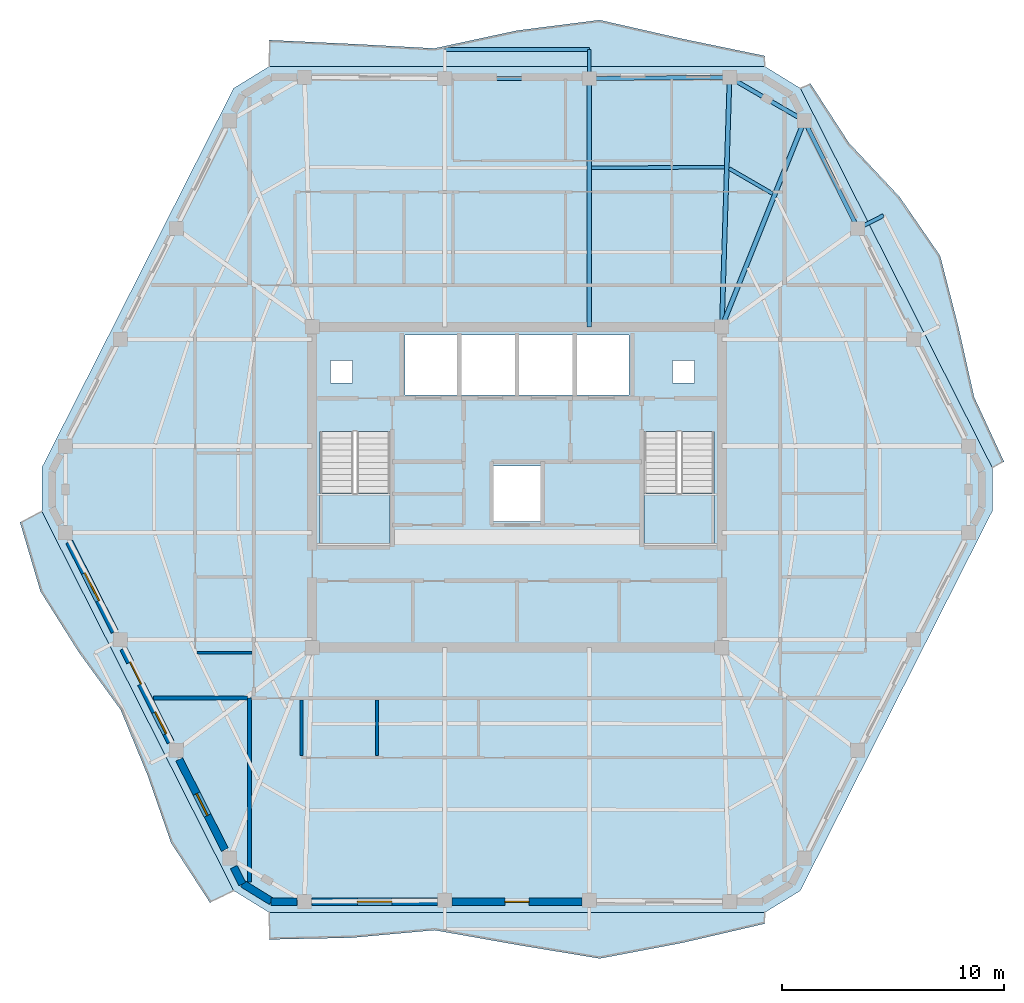
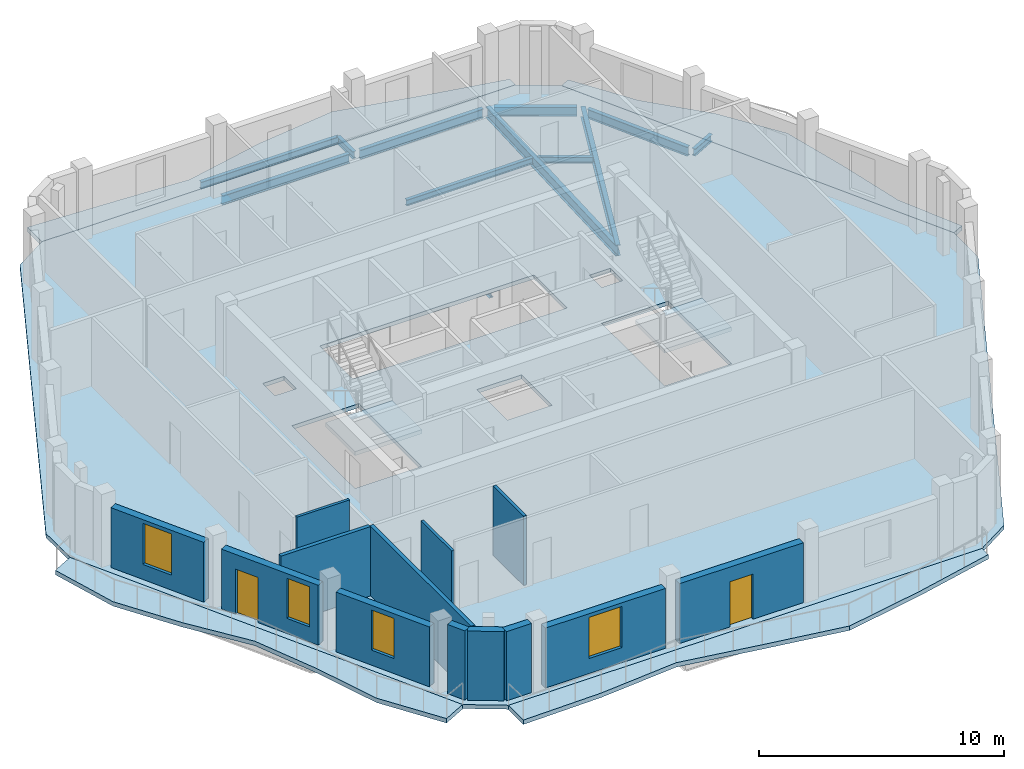
# One storey, part 3 of 10: 13 walls, 12 beams, 7 slabs, 4 windows, 2 doors, 6 openings, 2 elements without a shape of their own.
"""IFC4 building model written with IfcOpenShell, lengths in metres."""

import ifcopenshell
import ifcopenshell.guid

model = None  # the IFC model being written
_history = None  # IfcOwnerHistory: only IFC2X3 demands one
_inside = {}  # id of a spatial element -> (the spatial element, [elements in it])
_under = {}  # id of a project, library or spatial element -> (it, [spatial elements below it])
_declared = {}  # id of a project -> (the project, [libraries it declares])
_typed = {}  # id of a type object -> (the type object, [elements of that type])
_made_of = {}  # id of a material, layer set ... -> (it, [elements and type objects made of it])


def new_model(schema):
    """Start an empty IFC model of exactly this schema.

    Asked for "IFC4X3", IfcOpenShell would pick the latest addendum, in which some entities
    have other attributes; the version numbers below select the first issue.
    IFC2X3 requires an IfcOwnerHistory on every rooted entity: one is made here for all.
    """
    global model, _history
    if schema == "IFC4X3":
        model = ifcopenshell.file(schema_version=(4, 3, 0, 0))
    else:
        model = ifcopenshell.file(schema=schema)
    _inside.clear()
    _under.clear()
    _declared.clear()
    _typed.clear()
    _made_of.clear()
    _history = None
    if model.schema == "IFC2X3":
        org = make("IfcOrganization", Name="unknown")
        user = make(
            "IfcPersonAndOrganization",
            ThePerson=make("IfcPerson", FamilyName="unknown"),
            TheOrganization=org,
        )
        app = make(
            "IfcApplication",
            ApplicationDeveloper=org,
            Version="unknown",
            ApplicationFullName="unknown",
            ApplicationIdentifier="unknown",
        )
        _history = make(
            "IfcOwnerHistory",
            OwningUser=user,
            OwningApplication=app,
            ChangeAction="ADDED",
            CreationDate=0,
        )
    return model


def make(cls, **values):
    """One entity of the class cls with the attributes given. An attribute that is None is left unset."""
    return model.create_entity(
        cls, **{name: value for name, value in values.items() if value is not None}
    )


def rooted(cls, **values):
    """An entity with a GlobalId (a new one), such as an element, a storey or a relation."""
    return make(cls, GlobalId=ifcopenshell.guid.new(), OwnerHistory=_history, **values)


def si_unit(unit_type, name, prefix=None):
    """IfcSIUnit, for example si_unit("LENGTHUNIT", "METRE", prefix="MILLI")."""
    return make("IfcSIUnit", UnitType=unit_type, Prefix=prefix, Name=name)


def assignment(units):
    """IfcUnitAssignment: the units of a project."""
    return None if units is None else make("IfcUnitAssignment", Units=units)


def point(xyz):
    """IfcCartesianPoint."""
    return None if xyz is None else make("IfcCartesianPoint", Coordinates=xyz)


def direction(xyz):
    """IfcDirection."""
    return None if xyz is None else make("IfcDirection", DirectionRatios=xyz)


def frame(location, z_axis=None, x_axis=None):
    """IfcAxis2Placement3D, a coordinate frame: its origin and axes. An axis left out is left unset."""
    return make(
        "IfcAxis2Placement3D",
        Location=point(location),
        Axis=direction(z_axis),
        RefDirection=direction(x_axis),
    )


def frame_2d(location, x_axis=None):
    """IfcAxis2Placement2D, a coordinate frame in the plane: its origin and x axis."""
    return make(
        "IfcAxis2Placement2D", Location=point(location), RefDirection=direction(x_axis)
    )


def origin():
    """The frame at (0, 0, 0) with its axes left unset."""
    return frame((0.0, 0.0, 0.0))


def origin_2d():
    """The frame at (0, 0) in the plane with its x axis left unset."""
    return frame_2d((0.0, 0.0))


def place(relative_to, where):
    """IfcLocalPlacement: puts the frame where relative to a parent placement (None: the world)."""
    return make(
        "IfcLocalPlacement", PlacementRelTo=relative_to, RelativePlacement=where
    )


def context(
    kind, dimensions, precision=None, world=None, true_north=None, identifier=None
):
    """IfcGeometricRepresentationContext, for example the 3D "Model" context."""
    return make(
        "IfcGeometricRepresentationContext",
        ContextIdentifier=identifier,
        ContextType=kind,
        CoordinateSpaceDimension=dimensions,
        Precision=precision,
        WorldCoordinateSystem=world,
        TrueNorth=true_north,
    )


def subcontext(parent, identifier, kind, view, scale=None):
    """IfcGeometricRepresentationSubContext, for example "Body" below "Model"."""
    return make(
        "IfcGeometricRepresentationSubContext",
        ContextIdentifier=identifier,
        ContextType=kind,
        ParentContext=parent,
        TargetScale=scale,
        TargetView=view,
    )


def project(units=None, contexts=None):
    """IfcProject with its units and contexts."""
    return rooted(
        "IfcProject",
        Name="project",
        RepresentationContexts=contexts,
        UnitsInContext=assignment(units),
    )


def spatial(cls, under=None, at=None, **own):
    """A site, building, storey or space (cls), placed at a placement, below another one or the project."""
    s = rooted(cls, ObjectPlacement=at, **own)
    if under is not None:
        _under.setdefault(under.id(), (under, []))[1].append(s)
    return s


def polyline(points):
    """IfcPolyline through the points."""
    return make("IfcPolyline", Points=[point(p) for p in points])


def profile(cls, at=None, kind="AREA", **sizes):
    """A parametric profile (cls). Its sizes go by their IFC names, for example OverallWidth=200.0."""
    return make(cls, ProfileType=kind, Position=at, **sizes)


def rectangle(**sizes):
    """IfcRectangleProfileDef."""
    return profile("IfcRectangleProfileDef", **sizes)


def i_section(**sizes):
    """IfcIShapeProfileDef."""
    return profile("IfcIShapeProfileDef", **sizes)


def outline(outer, holes=None, kind="AREA"):
    """IfcArbitraryClosedProfileDef: a profile drawn as a closed curve; with holes, ...WithVoids."""
    if holes is None:
        return make("IfcArbitraryClosedProfileDef", ProfileType=kind, OuterCurve=outer)
    return make(
        "IfcArbitraryProfileDefWithVoids",
        ProfileType=kind,
        OuterCurve=outer,
        InnerCurves=holes,
    )


def extrude(swept, where, along, depth):
    """IfcExtrudedAreaSolid: the profile swept, set in the frame where, extruded along a direction by depth."""
    return make(
        "IfcExtrudedAreaSolid",
        SweptArea=swept,
        Position=where,
        ExtrudedDirection=direction(along),
        Depth=depth,
    )


def shape(context_of_items, identifier, shape_type, items):
    """IfcShapeRepresentation: the items that make up one representation, for example the "Body"."""
    return make(
        "IfcShapeRepresentation",
        ContextOfItems=context_of_items,
        RepresentationIdentifier=identifier,
        RepresentationType=shape_type,
        Items=items,
    )


def material(Name=None, Category=None):
    """IfcMaterial."""
    return make("IfcMaterial", Name=Name, Category=Category)


def layer(
    of_material, thickness, ventilated=None, Name=None, Category=None, Priority=None
):
    """IfcMaterialLayer: one layer of a wall or slab, of a material (None: an air gap)."""
    return make(
        "IfcMaterialLayer",
        Material=of_material,
        LayerThickness=thickness,
        IsVentilated=ventilated,
        Name=Name,
        Category=Category,
        Priority=Priority,
    )


def layer_set(layers, Name=None):
    """IfcMaterialLayerSet."""
    return make("IfcMaterialLayerSet", MaterialLayers=layers, LayerSetName=Name)


def material_profile(
    of_material, cross_section, Name=None, Category=None, Priority=None
):
    """IfcMaterialProfile: a cross section and its material."""
    return make(
        "IfcMaterialProfile",
        Name=Name,
        Material=of_material,
        Profile=cross_section,
        Priority=Priority,
        Category=Category,
    )


def profile_set(profiles, Name=None, composite=None):
    """IfcMaterialProfileSet."""
    return make(
        "IfcMaterialProfileSet",
        Name=Name,
        MaterialProfiles=profiles,
        CompositeProfile=composite,
    )


def made_of(thing, what):
    """Note that an element or type object is made of a material, layer set ...; save() writes the relation."""
    if what is not None:
        _made_of.setdefault(what.id(), (what, []))[1].append(thing)
    return thing


def type_object(cls, material=None, **own):
    """A type object (cls), such as IfcWallType, which elements share."""
    return made_of(rooted(cls, **own), material)


def element(
    cls,
    number,
    at=None,
    inside=None,
    cuts=None,
    type_object=None,
    material=None,
    context=None,
    identifier="Body",
    shape_type=None,
    held_by="IfcProductDefinitionShape",
    body=None,
    shapes=None,
    **own,
):
    """One element of the class cls, such as IfcWall. Its Tag is "e" and its number.

    at: its placement. inside: the storey or other place that contains it. cuts: it is an
    opening in that element (IfcRelVoidsElement). A single representation is given by context,
    identifier, shape_type and body (its items); several are given by shapes. held_by: the class
    of the entity that holds the representations. save() writes the other relations.
    """
    e = rooted(cls, Tag="e%d" % number, ObjectPlacement=at, **own)
    if body is not None:
        shapes = [shape(context, identifier, shape_type, body)]
    if shapes is not None:
        e.Representation = make(held_by, Representations=shapes)
    if inside is not None:
        _inside.setdefault(inside.id(), (inside, []))[1].append(e)
    if cuts is not None:
        rooted(
            "IfcRelVoidsElement", RelatingBuildingElement=cuts, RelatedOpeningElement=e
        )
    if type_object is not None:
        _typed.setdefault(type_object.id(), (type_object, []))[1].append(e)
    return made_of(e, material)


def fill(opening, filler):
    """IfcRelFillsElement: the door or window that sits in an opening."""
    return rooted(
        "IfcRelFillsElement",
        RelatingOpeningElement=opening,
        RelatedBuildingElement=filler,
    )


def aggregate(whole, parts):
    """IfcRelAggregates: a whole, such as a stair, and the parts it consists of."""
    return rooted("IfcRelAggregates", RelatingObject=whole, RelatedObjects=parts)


def save(model, path):
    """Write the relations noted so far, then the file.

    IfcRelAggregates (storeys below a building ...), IfcRelContainedInSpatialStructure (elements
    in a storey), IfcRelDefinesByType, IfcRelAssociatesMaterial and IfcRelDeclares: one each for
    every whole, place, type object, material and project.
    """
    for whole, parts in _under.values():
        aggregate(whole, parts)
    for where, things in _inside.values():
        rooted(
            "IfcRelContainedInSpatialStructure",
            RelatedElements=things,
            RelatingStructure=where,
        )
    for kind, things in _typed.values():
        rooted("IfcRelDefinesByType", RelatedObjects=things, RelatingType=kind)
    for what, things in _made_of.values():
        rooted("IfcRelAssociatesMaterial", RelatedObjects=things, RelatingMaterial=what)
    for by, libraries in _declared.values():
        rooted("IfcRelDeclares", RelatingContext=by, RelatedDefinitions=libraries)
    model.write(path)


model = new_model("IFC4")

# Units and contexts
model_context = context("Model", 3, precision=1e-05, world=origin(), true_north=direction((0.0, 1.0)))
body_context = subcontext(model_context, "Body", "Model", "MODEL_VIEW")
ifc_project = project(units=[si_unit("LENGTHUNIT", "METRE"), si_unit("AREAUNIT", "SQUARE_METRE"), si_unit("VOLUMEUNIT", "CUBIC_METRE"), si_unit("PLANEANGLEUNIT", "RADIAN"), si_unit("MASSUNIT", "GRAM", prefix="KILO")], contexts=[model_context])

# Site, building, storey
site_placement = place(None, origin())
site = spatial("IfcSite", under=ifc_project, at=site_placement, CompositionType="ELEMENT")
building_placement = place(site_placement, origin())
building = spatial("IfcBuilding", under=site, at=building_placement, Name="Cinnabar Lancet Tower", CompositionType="ELEMENT")
storey_placement = place(building_placement, frame((0.0, 0.0, 267.14990234375)))
storey = spatial("IfcBuildingStorey", under=building, at=storey_placement, Name="L71", CompositionType="ELEMENT", Elevation=267.14990234375)

# Beams
ifc_material_1 = material(Name="Structural steel S355", Category="steel")
ifc_material_profile_1 = material_profile(ifc_material_1, i_section(OverallWidth=0.1650390625, OverallDepth=0.303466796875, WebThickness=0.006103515625, FlangeThickness=0.01025390625, FilletRadius=0.0087890625, at=origin_2d()), Name="UKB 305x165x40")
ifc_profile_set_1 = profile_set([ifc_material_profile_1], Name="Structural steel S355")
beam_type_1 = type_object("IfcBeamType", Name="STR-BM-JST-305", PredefinedType="JOIST", material=ifc_profile_set_1)
beam_1_placement = place(storey_placement, frame((43.912109375, 39.1201171875, -0.351806640625), z_axis=(-0.865426285481, 0.501036270542, 0.0), x_axis=(-0.501036270542, -0.865426285481, 0.0)))
element("IfcBeam", 1, at=beam_1_placement, inside=storey, type_object=beam_type_1, Name="L71 Secondary Floor Joist 29", PredefinedType="JOIST", context=body_context, shape_type="SweptSolid", body=[
    extrude(i_section(OverallWidth=0.1650390625, OverallDepth=0.303466796875, WebThickness=0.006103515625, FlangeThickness=0.01025390625, FilletRadius=0.0087890625, at=origin_2d()), origin(), (0.0, 0.0, 1.0), 2.267333984375),
])
beam_2_placement = place(storey_placement, frame((41.741943359375, 40.31494140625, -0.351806640625), z_axis=(-0.999985712428, -0.005345553266, 0.0), x_axis=(0.005345553266, -0.999985712428, 0.0)))
element("IfcBeam", 2, at=beam_2_placement, inside=storey, type_object=beam_type_1, Name="L71 Secondary Floor Joist 30", PredefinedType="JOIST", context=body_context, shape_type="SweptSolid", body=[
    extrude(i_section(OverallWidth=0.1650390625, OverallDepth=0.303466796875, WebThickness=0.006103515625, FlangeThickness=0.01025390625, FilletRadius=0.0087890625, at=origin_2d()), origin(), (0.0, 0.0, 1.0), 5.98291015625),
])
ifc_material_2 = material(Name="Structural steel S355", Category="steel")
ifc_material_profile_2 = material_profile(ifc_material_2, i_section(OverallWidth=0.1904296875, OverallDepth=0.45703125, WebThickness=0.009033203125, FlangeThickness=0.014404296875, FilletRadius=0.01025390625, at=origin_2d()), Name="UKB 457x191x74")
ifc_profile_set_2 = profile_set([ifc_material_profile_2], Name="Structural steel S355")
beam_type_2 = type_object("IfcBeamType", Name="STR-BM-SPN-457", PredefinedType="SPANDREL", material=ifc_profile_set_2)
beam_3_placement = place(storey_placement, frame((47.637939453125, 37.778076171875, -0.428955078125), z_axis=(-0.444372599207, 0.895842058107, 0.0), x_axis=(-0.895842058107, -0.444372599207, 0.0)))
element("IfcBeam", 3, at=beam_3_placement, inside=storey, type_object=beam_type_2, Name="L71 Perimeter Spandrel 11", PredefinedType="SPANDREL", context=body_context, shape_type="SweptSolid", body=[
    extrude(i_section(OverallWidth=0.1904296875, OverallDepth=0.45703125, WebThickness=0.009033203125, FlangeThickness=0.014404296875, FilletRadius=0.01025390625, at=origin_2d()), origin(), (0.0, 0.0, 1.0), 4.91943359375),
])
beam_4_placement = place(storey_placement, frame((45.125, 42.533935546875, -0.428955078125), z_axis=(-0.865199693264, 0.501427453153, 0.0), x_axis=(-0.501427453153, -0.865199693264, 0.0)))
element("IfcBeam", 4, at=beam_4_placement, inside=storey, type_object=beam_type_2, Name="L71 Perimeter Spandrel 12", PredefinedType="SPANDREL", context=body_context, shape_type="SweptSolid", body=[
    extrude(i_section(OverallWidth=0.1904296875, OverallDepth=0.45703125, WebThickness=0.009033203125, FlangeThickness=0.014404296875, FilletRadius=0.01025390625, at=origin_2d()), origin(), (0.0, 0.0, 1.0), 3.39453125),
])
beam_5_placement = place(storey_placement, frame((41.721923828125, 44.35888671875, -0.428955078125), z_axis=(-0.999964782464, -0.008392486634, 0.0), x_axis=(0.008392486634, -0.999964782464, 0.0)))
element("IfcBeam", 5, at=beam_5_placement, inside=storey, type_object=beam_type_2, Name="L71 Perimeter Spandrel 13", PredefinedType="SPANDREL", context=body_context, shape_type="SweptSolid", body=[
    extrude(i_section(OverallWidth=0.1904296875, OverallDepth=0.45703125, WebThickness=0.009033203125, FlangeThickness=0.014404296875, FilletRadius=0.01025390625, at=origin_2d()), origin(), (0.0, 0.0, 1.0), 5.818115234375),
])
beam_6_placement = place(storey_placement, frame((35.404052734375, 44.30810546875, -0.428955078125), z_axis=(-1.0, 0.0, 0.0), x_axis=(0.0, -1.0, 0.0)))
element("IfcBeam", 6, at=beam_6_placement, inside=storey, type_object=beam_type_2, Name="L71 Perimeter Spandrel 14", PredefinedType="SPANDREL", context=body_context, shape_type="SweptSolid", body=[
    extrude(i_section(OverallWidth=0.1904296875, OverallDepth=0.45703125, WebThickness=0.009033203125, FlangeThickness=0.014404296875, FilletRadius=0.01025390625, at=origin_2d()), origin(), (0.0, 0.0, 1.0), 6.008056640625),
])
ifc_material_3 = material(Name="Structural steel S355", Category="steel")
ifc_material_profile_3 = material_profile(ifc_material_3, i_section(OverallWidth=0.209228515625, OverallDepth=0.533203125, WebThickness=0.010009765625, FlangeThickness=0.015625, FilletRadius=0.0126953125, at=origin_2d()), Name="UKB 533x210x92")
ifc_profile_set_3 = profile_set([ifc_material_profile_3], Name="Structural steel S355")
beam_type_3 = type_object("IfcBeamType", Name="STR-BM-UKB533-92", PredefinedType="BEAM", material=ifc_profile_set_3)
beam_7_placement = place(storey_placement, frame((45.341064453125, 42.408935546875, -0.466796875), z_axis=(-0.371605341166, -0.928390796172, 0.0), x_axis=(0.928390796172, -0.371605341166, 0.0)))
element("IfcBeam", 7, at=beam_7_placement, inside=storey, type_object=beam_type_3, Name="L71 Primary Floor Girder 12", PredefinedType="BEAM", context=body_context, shape_type="SweptSolid", body=[
    extrude(i_section(OverallWidth=0.209228515625, OverallDepth=0.533203125, WebThickness=0.010009765625, FlangeThickness=0.015625, FilletRadius=0.0126953125, at=origin_2d()), origin(), (0.0, 0.0, 1.0), 10.0),
])
beam_8_placement = place(storey_placement, frame((41.971923828125, 44.361083984375, -0.466796875), z_axis=(-0.030861159652, -0.999523680973, 0.0), x_axis=(0.999523680973, -0.030861159652, 0.0)))
element("IfcBeam", 8, at=beam_8_placement, inside=storey, type_object=beam_type_3, Name="L71 Primary Floor Girder 13", PredefinedType="BEAM", context=body_context, shape_type="SweptSolid", body=[
    extrude(i_section(OverallWidth=0.209228515625, OverallDepth=0.533203125, WebThickness=0.010009765625, FlangeThickness=0.015625, FilletRadius=0.0126953125, at=origin_2d()), origin(), (0.0, 0.0, 1.0), 11.241455078125),
])
beam_9_placement = place(storey_placement, frame((35.654052734375, 44.30810546875, -0.466796875), z_axis=(0.0, -1.0, 0.0), x_axis=(1.0, 0.0, 0.0)))
element("IfcBeam", 9, at=beam_9_placement, inside=storey, type_object=beam_type_3, Name="L71 Primary Floor Girder 14", PredefinedType="BEAM", context=body_context, shape_type="SweptSolid", body=[
    extrude(i_section(OverallWidth=0.209228515625, OverallDepth=0.533203125, WebThickness=0.010009765625, FlangeThickness=0.015625, FilletRadius=0.0126953125, at=origin_2d()), origin(), (0.0, 0.0, 1.0), 11.18310546875),
])
ifc_material_4 = material(Name="Structural steel S355", Category="steel")
ifc_material_profile_4 = material_profile(ifc_material_4, i_section(OverallWidth=0.17138671875, OverallDepth=0.35498046875, WebThickness=0.00732421875, FlangeThickness=0.011474609375, FilletRadius=0.01025390625, at=origin_2d()), Name="UKB 356x171x51")
ifc_profile_set_4 = profile_set([ifc_material_profile_4], Name="Structural steel S355")
beam_type_4 = type_object("IfcBeamType", Name="STR-BM-WAV-OUT", PredefinedType="BEAM", material=ifc_profile_set_4)
beam_10_placement = place(storey_placement, frame((47.7490234375, 37.553955078125, -0.39794921875), z_axis=(0.892200264127, 0.451639998995, 0.0), x_axis=(-0.451639998995, 0.892200264127, 0.0)))
element("IfcBeam", 10, at=beam_10_placement, inside=storey, type_object=beam_type_4, Name="L71 Face 3 Balcony Outlooker B", PredefinedType="BEAM", context=body_context, shape_type="SweptSolid", body=[
    extrude(i_section(OverallWidth=0.17138671875, OverallDepth=0.35498046875, WebThickness=0.00732421875, FlangeThickness=0.011474609375, FilletRadius=0.01025390625, at=origin_2d()), origin(), (0.0, 0.0, 1.0), 1.300048828125),
])
beam_11_placement = place(storey_placement, frame((35.654052734375, 44.30810546875, -0.39794921875), z_axis=(0.0, 1.0, 0.0), x_axis=(-1.0, 0.0, 0.0)))
element("IfcBeam", 11, at=beam_11_placement, inside=storey, type_object=beam_type_4, Name="L71 Face 4 Balcony Outlooker A", PredefinedType="BEAM", context=body_context, shape_type="SweptSolid", body=[
    extrude(i_section(OverallWidth=0.17138671875, OverallDepth=0.35498046875, WebThickness=0.00732421875, FlangeThickness=0.011474609375, FilletRadius=0.01025390625, at=origin_2d()), origin(), (0.0, 0.0, 1.0), 1.2998046875),
])
ifc_material_5 = material(Name="Structural steel S355", Category="steel")
ifc_material_profile_5 = material_profile(ifc_material_5, i_section(OverallWidth=0.17138671875, OverallDepth=0.35498046875, WebThickness=0.00732421875, FlangeThickness=0.011474609375, FilletRadius=0.01025390625, at=origin_2d()), Name="UKB 356x171x51")
ifc_profile_set_5 = profile_set([ifc_material_profile_5], Name="Structural steel S355")
beam_type_5 = type_object("IfcBeamType", Name="STR-BM-WAV-TRIM", PredefinedType="SPANDREL", material=ifc_profile_set_5)
beam_12_placement = place(storey_placement, frame((35.654052734375, 45.60791015625, -0.39794921875), z_axis=(-1.0, 0.0, 0.0), x_axis=(0.0, -1.0, 0.0)))
element("IfcBeam", 12, at=beam_12_placement, inside=storey, type_object=beam_type_5, Name="L71 Face 4 Balcony Edge Trimmer", PredefinedType="SPANDREL", context=body_context, shape_type="SweptSolid", body=[
    extrude(i_section(OverallWidth=0.17138671875, OverallDepth=0.35498046875, WebThickness=0.00732421875, FlangeThickness=0.011474609375, FilletRadius=0.01025390625, at=origin_2d()), origin(), (0.0, 0.0, 1.0), 6.508056640625),
])

# Stair, slab
ifc_material_6 = material(Name="Concrete C40/50", Category="concrete")
stair_type = type_object("IfcStairType", Name="ST-CORE", PredefinedType="HALF_TURN_STAIR", material=ifc_material_6)
stair_1_placement = place(storey_placement, origin())
stair_1 = element("IfcStair", 13, at=stair_1_placement, inside=storey, type_object=stair_type, Name="L71 ST-1", PredefinedType="HALF_TURN_STAIR")
ifc_material_7 = material(Name="Concrete C40/50", Category="concrete")
ifc_layer_1 = layer(ifc_material_7, 0.199951171875)
ifc_layer_set_1 = layer_set([ifc_layer_1], Name="Concrete C40/50")
slab_type_1 = type_object("IfcSlabType", Name="LANDING-CORE", PredefinedType="LANDING", material=ifc_layer_set_1)
slab_1_placement = place(storey_placement, frame((0.0, 0.0, 1.625)))
slab_1 = element("IfcSlab", 14, at=slab_1_placement, type_object=slab_type_1, Name="ST-1 landing 1", PredefinedType="LANDING", context=body_context, shape_type="SweptSolid", body=[
    extrude(outline(polyline([(23.52490234375, 25.64990234375), (23.52490234375, 23.25), (26.675048828125, 23.25), (26.675048828125, 25.64990234375), (23.52490234375, 25.64990234375)])), origin(), (0.0, 0.0, 1.0), 0.2001953125),
])
aggregate(stair_1, [slab_1])

stair_2_placement = place(storey_placement, origin())
stair_2 = element("IfcStair", 15, at=stair_2_placement, inside=storey, type_object=stair_type, Name="L71 ST-2", PredefinedType="HALF_TURN_STAIR")
slab_2_placement = place(storey_placement, frame((0.0, 0.0, 1.625)))
slab_2 = element("IfcSlab", 16, at=slab_2_placement, type_object=slab_type_1, Name="ST-2 landing 1", PredefinedType="LANDING", context=body_context, shape_type="SweptSolid", body=[
    extrude(outline(polyline([(38.125, 25.64990234375), (38.125, 23.25), (41.27490234375, 23.25), (41.27490234375, 25.64990234375), (38.125, 25.64990234375)])), origin(), (0.0, 0.0, 1.0), 0.2001953125),
])
aggregate(stair_2, [slab_2])

# Slabs
ifc_material_8 = material(Name="Concrete C40/50", Category="concrete")
ifc_layer_2 = layer(ifc_material_8, 0.199951171875)
ifc_layer_set_2 = layer_set([ifc_layer_2], Name="Concrete C40/50")
slab_type_2 = type_object("IfcSlabType", Name="STR-SLB-FLR-200", PredefinedType="FLOOR", material=ifc_layer_set_2)
slab_3_placement = place(storey_placement, frame((0.0, 0.0, -0.199951171875)))
element("IfcSlab", 17, at=slab_3_placement, inside=storey, type_object=slab_type_2, Name="L71 Structural Floor Slab", PredefinedType="FLOOR", context=body_context, shape_type="SweptSolid", body=[
    extrude(outline(polyline([(19.638916015625, 7.73193359375), (21.236083984375, 6.75), (43.56396484375, 6.75), (45.160888671875, 7.73193359375), (53.802978515625, 24.818115234375), (53.802978515625, 26.781982421875), (45.160888671875, 43.867919921875), (43.56396484375, 44.85009765625), (21.236083984375, 44.85009765625), (19.638916015625, 43.867919921875), (10.9970703125, 26.781982421875), (10.9970703125, 24.818115234375), (19.638916015625, 7.73193359375)]), holes=[polyline([(23.52490234375, 23.25), (26.675048828125, 23.25), (26.675048828125, 28.3994140625), (23.52490234375, 28.3994140625), (23.52490234375, 23.25)]), polyline([(38.125, 23.25), (41.27490234375, 23.25), (41.27490234375, 28.3994140625), (38.125, 28.3994140625), (38.125, 23.25)]), polyline([(27.35009765625, 30.050048828125), (37.449951171875, 30.050048828125), (37.449951171875, 32.75), (27.35009765625, 32.75), (27.35009765625, 30.050048828125)]), polyline([(31.35009765625, 24.35009765625), (33.449951171875, 24.35009765625), (33.449951171875, 26.85009765625), (31.35009765625, 26.85009765625), (31.35009765625, 24.35009765625)]), polyline([(24.0, 30.60009765625), (25.0, 30.60009765625), (25.0, 31.60009765625), (24.0, 31.60009765625), (24.0, 30.60009765625)]), polyline([(39.39990234375, 30.60009765625), (40.39990234375, 30.60009765625), (40.39990234375, 31.60009765625), (39.39990234375, 31.60009765625), (39.39990234375, 30.60009765625)])]), origin(), (0.0, 0.0, 1.0), 0.199951171875),
])
ifc_material_9 = material(Name="Concrete C45/55", Category="concrete")
ifc_layer_3 = layer(ifc_material_9, 0.219970703125)
ifc_layer_set_3 = layer_set([ifc_layer_3], Name="Concrete C45/55")
slab_type_3 = type_object("IfcSlabType", Name="STR-SLB-WAV-220", PredefinedType="FLOOR", material=ifc_layer_set_3)
slab_4_placement = place(storey_placement, frame((0.0, 0.0, -0.219970703125)))
element("IfcSlab", 18, at=slab_4_placement, inside=storey, type_object=slab_type_3, Name="L71 Face 1 Undulating Wave Balcony Slab", PredefinedType="FLOOR", context=body_context, shape_type="SweptSolid", body=[
    extrude(outline(polyline([(21.236083984375, 6.75), (21.236083984375, 5.532958984375), (24.95703125, 5.611083984375), (28.678955078125, 5.950927734375), (32.39990234375, 5.29296875), (36.12109375, 4.674072265625), (39.843017578125, 5.381103515625), (43.56396484375, 6.2451171875), (43.56396484375, 6.75), (21.236083984375, 6.75)])), origin(), (0.0, 0.0, 1.0), 0.219970703125),
])
slab_5_placement = place(storey_placement, frame((0.0, 0.0, -0.219970703125)))
element("IfcSlab", 19, at=slab_5_placement, inside=storey, type_object=slab_type_3, Name="L71 Face 3 Undulating Wave Balcony Slab", PredefinedType="FLOOR", context=body_context, shape_type="SweptSolid", body=[
    extrude(outline(polyline([(53.802978515625, 26.781982421875), (54.33203125, 27.050048828125), (52.990966796875, 29.947021484375), (52.26904296875, 33.157958984375), (51.455078125, 36.322998046875), (49.6279296875, 38.97509765625), (47.35302734375, 41.39990234375), (45.60498046875, 44.092041015625), (45.160888671875, 43.867919921875), (53.802978515625, 26.781982421875)])), origin(), (0.0, 0.0, 1.0), 0.219970703125),
])
slab_6_placement = place(storey_placement, frame((0.0, 0.0, -0.219970703125)))
element("IfcSlab", 20, at=slab_6_placement, inside=storey, type_object=slab_type_3, Name="L71 Face 4 Undulating Wave Balcony Slab", PredefinedType="FLOOR", context=body_context, shape_type="SweptSolid", body=[
    extrude(outline(polyline([(43.56396484375, 44.85009765625), (43.56396484375, 45.325927734375), (39.843017578125, 46.095947265625), (36.12109375, 46.943115234375), (32.39990234375, 46.469970703125), (28.678955078125, 45.666015625), (24.95703125, 45.865966796875), (21.236083984375, 46.0380859375), (21.236083984375, 44.85009765625), (43.56396484375, 44.85009765625)])), origin(), (0.0, 0.0, 1.0), 0.219970703125),
])
slab_7_placement = place(storey_placement, frame((0.0, 0.0, -0.219970703125)))
element("IfcSlab", 21, at=slab_7_placement, inside=storey, type_object=slab_type_3, Name="L71 Face 6 Undulating Wave Balcony Slab", PredefinedType="FLOOR", context=body_context, shape_type="SweptSolid", body=[
    extrude(outline(polyline([(10.9970703125, 24.818115234375), (10.01611328125, 24.322021484375), (10.93701171875, 21.2119140625), (12.64404296875, 18.4990234375), (14.544921875, 15.884033203125), (15.763916015625, 12.924072265625), (16.822021484375, 9.883056640625), (18.572021484375, 7.19189453125), (19.638916015625, 7.73193359375), (10.9970703125, 24.818115234375)])), origin(), (0.0, 0.0, 1.0), 0.219970703125),
])

# Walls
ifc_material_10 = material(Name="Fire-rated twin-frame acoustic drywall", Category="gypsum")
ifc_layer_4 = layer(ifc_material_10, 0.179931640625)
ifc_layer_set_4 = layer_set([ifc_layer_4], Name="Fire-rated twin-frame acoustic drywall")
wall_type_1 = type_object("IfcWallType", Name="ARC-WL-PARTY-180", PredefinedType="PARTITIONING", material=ifc_layer_set_4)
wall_1_placement = place(storey_placement, frame((20.35009765625, 8.118896484375, 0.0), z_axis=(0.0, 0.0, 1.0), x_axis=(0.0, 1.0, 0.0)))
element("IfcWall", 22, at=wall_1_placement, inside=storey, type_object=wall_type_1, Name="PW-L71-SPTY-204", PredefinedType="PARTITIONING", context=body_context, shape_type="SweptSolid", body=[
    extrude(rectangle(XDim=8.281005859375, YDim=0.179931640625, at=frame_2d((4.140625, 0.0))), origin(), (0.0, 0.0, 1.0), 3.4501953125),
])
wall_2_placement = place(storey_placement, frame((16.033935546875, 16.39990234375, 0.0), z_axis=(0.0, 0.0, 1.0), x_axis=(1.0, 0.0, 0.0)))
element("IfcWall", 23, at=wall_2_placement, inside=storey, type_object=wall_type_1, Name="PW-L71-WSB", PredefinedType="PARTITIONING", context=body_context, shape_type="SweptSolid", body=[
    extrude(rectangle(XDim=4.220947265625, YDim=0.179931640625, at=frame_2d((2.1103515625, 0.0))), origin(), (0.0, 0.0, 1.0), 3.4501953125),
])
ifc_material_11 = material(Name="Gypsum plasterboard stud partition", Category="gypsum")
ifc_layer_5 = layer(ifc_material_11, 0.125)
ifc_layer_set_5 = layer_set([ifc_layer_5], Name="Gypsum plasterboard stud partition")
wall_type_2 = type_object("IfcWallType", Name="ARC-WL-UNIT-125", PredefinedType="PARTITIONING", material=ifc_layer_set_5)
wall_3_placement = place(storey_placement, frame((22.699951171875, 13.825927734375, 0.0), z_axis=(0.0, 0.0, 1.0), x_axis=(0.0, 1.0, 0.0)))
element("IfcWall", 24, at=wall_3_placement, inside=storey, type_object=wall_type_2, Name="UW-L71-S01-FOYE", PredefinedType="PARTITIONING", context=body_context, shape_type="SweptSolid", body=[
    extrude(rectangle(XDim=2.489013671875, YDim=0.125, at=frame_2d((1.24462890625, 0.0))), origin(), (0.0, 0.0, 1.0), 2.906982421875),
])
wall_4_placement = place(storey_placement, frame((17.985107421875, 18.449951171875, 0.0), z_axis=(0.0, 0.0, 1.0), x_axis=(1.0, 0.0, 0.0)))
element("IfcWall", 25, at=wall_4_placement, inside=storey, type_object=wall_type_2, Name="UW-L71-W01-FOYN", PredefinedType="PARTITIONING", context=body_context, shape_type="SweptSolid", body=[
    extrude(rectangle(XDim=2.47998046875, YDim=0.125, at=frame_2d((1.239990234375, 0.0))), origin(), (0.0, 0.0, 1.0), 3.4501953125),
])
ifc_material_12 = material(Name="Moisture-resistant cement-board plumbing wall", Category="masonry")
ifc_layer_6 = layer(ifc_material_12, 0.139892578125)
ifc_layer_set_6 = layer_set([ifc_layer_6], Name="Moisture-resistant cement-board plumbing wall")
wall_type_3 = type_object("IfcWallType", Name="ARC-WL-WET-140", PredefinedType="PLUMBINGWALL", material=ifc_layer_set_6)
wall_5_placement = place(storey_placement, frame((26.10009765625, 13.825927734375, 0.0), z_axis=(0.0, 0.0, 1.0), x_axis=(0.0, 1.0, 0.0)))
element("IfcWall", 26, at=wall_5_placement, inside=storey, type_object=wall_type_3, Name="UW-L71-S01-KDV", PredefinedType="PLUMBINGWALL", context=body_context, shape_type="SweptSolid", body=[
    extrude(rectangle(XDim=2.489013671875, YDim=0.139892578125, at=frame_2d((1.24462890625, 0.0))), origin(), (0.0, 0.0, 1.0), 3.4501953125),
])
ifc_material_13 = material(Name="Cinnabar red clay brick", Category="masonry")
ifc_layer_7 = layer(ifc_material_13, 0.340087890625)
ifc_layer_set_7 = layer_set([ifc_layer_7], Name="Cinnabar red clay brick")
wall_type_4 = type_object("IfcWallType", Name="ENV-WL-BRK-RED-340", PredefinedType="STANDARD", material=ifc_layer_set_7)
wall_6_placement = place(storey_placement, frame((20.047119140625, 8.044921875, 0.0), z_axis=(0.0, 0.0, 1.0), x_axis=(0.851680557619, -0.52406128246, 0.0)))
element("IfcWall", 27, at=wall_6_placement, inside=storey, type_object=wall_type_4, Name="L71 Chamfered Corner Brick Pier 1.1", PredefinedType="STANDARD", context=body_context, shape_type="SweptSolid", body=[
    extrude(rectangle(XDim=1.507568359375, YDim=0.340087890625, at=frame_2d((0.75390625, 0.0))), origin(), (0.0, 0.0, 1.0), 3.4501953125),
])
wall_7_placement = place(storey_placement, frame((21.325927734375, 7.22998046875, 0.0), z_axis=(0.0, 0.0, 1.0), x_axis=(1.0, 0.0, 0.0)))
element("IfcWall", 28, at=wall_7_placement, inside=storey, type_object=wall_type_4, Name="L71 Face 1 Masonry Bay Wall 1", PredefinedType="STANDARD", context=body_context, shape_type="SweptSolid", body=[
    extrude(rectangle(XDim=1.173095703125, YDim=0.340087890625, at=frame_2d((0.58642578125, 0.0))), origin(), (0.0, 0.0, 1.0), 3.4501953125),
])

# Wall, opening, window
wall_8_placement = place(storey_placement, frame((23.156982421875, 7.22998046875, 0.0), z_axis=(0.0, 0.0, 1.0), x_axis=(1.0, 0.0, 0.0)))
wall_8 = element("IfcWall", 29, at=wall_8_placement, inside=storey, type_object=wall_type_4, Name="L71 Face 1 Masonry Bay Wall 2", PredefinedType="STANDARD", context=body_context, shape_type="SweptSolid", body=[
    extrude(rectangle(XDim=5.659912109375, YDim=0.340087890625, at=frame_2d((2.830078125, 0.0))), origin(), (0.0, 0.0, 1.0), 2.983154296875),
])
opening_1_placement = place(wall_8_placement, frame((2.054931640625, 0.0, 0.75)))
opening_1 = element("IfcOpeningElement", 30, at=opening_1_placement, cuts=wall_8, Name="Opening WN-01", PredefinedType="OPENING", context=body_context, shape_type="SweptSolid", body=[
    extrude(rectangle(XDim=1.550048828125, YDim=2.050048828125, at=frame_2d((0.77490234375, 1.02490234375))), frame((0.0, 0.179931640625, 0.0), z_axis=(0.0, -1.0, 0.0), x_axis=(1.0, 0.0, 0.0)), (0.0, 0.0, 1.0), 0.360107421875),
])
ifc_material_14 = material(Name="Thermally broken bronze-anodized aluminium low-E double glazing", Category="aluminium")
window_type_1 = type_object("IfcWindowType", Name="ENV-WN-LANCET-1550", PartitioningType="SINGLE_PANEL", PredefinedType="WINDOW", material=ifc_material_14)
window_1_placement = place(opening_1_placement, origin())
window_1 = element("IfcWindow", 31, at=window_1_placement, inside=storey, type_object=window_type_1, Name="L71 Face 1 Gothic Lancet Window 2", OverallHeight=2.050048828125, OverallWidth=1.550048828125, PartitioningType="SINGLE_PANEL", PredefinedType="WINDOW", context=body_context, shape_type="SweptSolid", body=[
    extrude(rectangle(XDim=1.550048828125, YDim=2.050048828125, at=frame_2d((0.77490234375, 1.02490234375))), frame((0.0, 0.030029296875, 0.0), z_axis=(0.0, -1.0, 0.0), x_axis=(1.0, 0.0, 0.0)), (0.0, 0.0, 1.0), 0.06005859375),
])
fill(opening_1, window_1)

# Wall, opening, door
wall_9_placement = place(storey_placement, frame((29.47509765625, 7.22998046875, 0.0), z_axis=(0.0, 0.0, 1.0), x_axis=(1.0, 0.0, 0.0)))
wall_9 = element("IfcWall", 32, at=wall_9_placement, inside=storey, type_object=wall_type_4, Name="L71 Face 1 Masonry Bay Wall 3", PredefinedType="STANDARD", context=body_context, shape_type="SweptSolid", body=[
    extrude(rectangle(XDim=5.849853515625, YDim=0.340087890625, at=frame_2d((2.9248046875, 0.0))), origin(), (0.0, 0.0, 1.0), 2.983154296875),
])
opening_2_placement = place(wall_9_placement, frame((2.375, 0.0, 0.0)))
opening_2 = element("IfcOpeningElement", 33, at=opening_2_placement, cuts=wall_9, Name="Opening TD-01", PredefinedType="OPENING", context=body_context, shape_type="SweptSolid", body=[
    extrude(rectangle(XDim=1.10009765625, YDim=2.25, at=frame_2d((0.550048828125, 1.125))), frame((0.0, 0.179931640625, 0.0), z_axis=(0.0, -1.0, 0.0), x_axis=(1.0, 0.0, 0.0)), (0.0, 0.0, 1.0), 0.360107421875),
])
ifc_material_15 = material(Name="Thermally broken low-E glazed balcony terrace door", Category="wood")
door_type = type_object("IfcDoorType", Name="ARC-DR-BALC", OperationType="NOTDEFINED", PredefinedType="DOOR", material=ifc_material_15)
door_1_placement = place(opening_2_placement, origin())
door_1 = element("IfcDoor", 34, at=door_1_placement, inside=storey, type_object=door_type, Name="L71 Face 1 Glazed Terrace Door", OperationType="SINGLE_SWING_RIGHT", OverallHeight=2.25, OverallWidth=1.10009765625, PredefinedType="DOOR", context=body_context, shape_type="SweptSolid", body=[
    extrude(rectangle(XDim=1.10009765625, YDim=2.25, at=frame_2d((0.550048828125, 1.125))), frame((0.0, 0.02490234375, 0.0), z_axis=(0.0, -1.0, 0.0), x_axis=(1.0, 0.0, 0.0)), (0.0, 0.0, 1.0), 0.050048828125),
])
fill(opening_2, door_1)

# Wall, opening, window
wall_10_placement = place(storey_placement, frame((12.23193359375, 23.43896484375, 0.0), z_axis=(0.0, 0.0, 1.0), x_axis=(0.45147697324, -0.892282770558, 0.0)))
wall_10 = element("IfcWall", 35, at=wall_10_placement, inside=storey, type_object=wall_type_4, Name="L71 Face 6 Masonry Bay Wall 2", PredefinedType="STANDARD", context=body_context, shape_type="SweptSolid", body=[
    extrude(rectangle(XDim=4.530029296875, YDim=0.340087890625, at=frame_2d((2.26513671875, 0.0))), origin(), (0.0, 0.0, 1.0), 2.983154296875),
])
opening_3_placement = place(wall_10_placement, frame((1.56494140625, 0.0, 0.75)))
opening_3 = element("IfcOpeningElement", 36, at=opening_3_placement, cuts=wall_10, Name="Opening WN-02", PredefinedType="OPENING", context=body_context, shape_type="SweptSolid", body=[
    extrude(rectangle(XDim=1.39990234375, YDim=2.050048828125, at=frame_2d((0.699951171875, 1.02490234375))), frame((0.0, 0.179931640625, 0.0), z_axis=(0.0, -1.0, 0.0), x_axis=(1.0, 0.0, 0.0)), (0.0, 0.0, 1.0), 0.360107421875),
])
ifc_material_16 = material(Name="Thermally broken bronze-anodized aluminium low-E double glazing", Category="aluminium")
window_type_2 = type_object("IfcWindowType", Name="ENV-WN-LANCET-1400", PartitioningType="SINGLE_PANEL", PredefinedType="WINDOW", material=ifc_material_16)
window_2_placement = place(opening_3_placement, origin())
window_2 = element("IfcWindow", 37, at=window_2_placement, inside=storey, type_object=window_type_2, Name="L71 Face 6 Gothic Lancet Window 2", OverallHeight=2.050048828125, OverallWidth=1.39990234375, PartitioningType="SINGLE_PANEL", PredefinedType="WINDOW", context=body_context, shape_type="SweptSolid", body=[
    extrude(rectangle(XDim=1.39990234375, YDim=2.050048828125, at=frame_2d((0.699951171875, 1.02490234375))), frame((0.0, 0.030029296875, 0.0), z_axis=(0.0, -1.0, 0.0), x_axis=(1.0, 0.0, 0.0)), (0.0, 0.0, 1.0), 0.06005859375),
])
fill(opening_3, window_2)

# Wall, openings, door, window
wall_11_placement = place(storey_placement, frame((14.666015625, 18.626953125, 0.0), z_axis=(0.0, 0.0, 1.0), x_axis=(0.451468341582, -0.892287137949, 0.0)))
wall_11 = element("IfcWall", 38, at=wall_11_placement, inside=storey, type_object=wall_type_4, Name="L71 Face 6 Masonry Bay Wall 3", PredefinedType="STANDARD", context=body_context, shape_type="SweptSolid", body=[
    extrude(rectangle(XDim=4.72265625, YDim=0.340087890625, at=frame_2d((2.361328125, 0.0))), origin(), (0.0, 0.0, 1.0), 2.983154296875),
])
opening_4_placement = place(wall_11_placement, frame((0.681884765625, 0.0, 0.0)))
opening_4 = element("IfcOpeningElement", 39, at=opening_4_placement, cuts=wall_11, Name="Opening TD-01", PredefinedType="OPENING", context=body_context, shape_type="SweptSolid", body=[
    extrude(rectangle(XDim=1.10009765625, YDim=2.25, at=frame_2d((0.550048828125, 1.125))), frame((0.0, 0.179931640625, 0.0), z_axis=(0.0, -1.0, 0.0), x_axis=(1.0, 0.0, 0.0)), (0.0, 0.0, 1.0), 0.360107421875),
])
opening_5_placement = place(wall_11_placement, frame((3.18896484375, 0.0, 0.75)))
opening_5 = element("IfcOpeningElement", 40, at=opening_5_placement, cuts=wall_11, Name="Opening WN-04", PredefinedType="OPENING", context=body_context, shape_type="SweptSolid", body=[
    extrude(rectangle(XDim=1.10009765625, YDim=2.0, at=frame_2d((0.550048828125, 1.0))), frame((0.0, 0.179931640625, 0.0), z_axis=(0.0, -1.0, 0.0), x_axis=(1.0, 0.0, 0.0)), (0.0, 0.0, 1.0), 0.360107421875),
])
door_2_placement = place(opening_4_placement, origin())
door_2 = element("IfcDoor", 41, at=door_2_placement, inside=storey, type_object=door_type, Name="L71 Face 6 Glazed Terrace Door", OperationType="SINGLE_SWING_LEFT", OverallHeight=2.25, OverallWidth=1.10009765625, PredefinedType="DOOR", context=body_context, shape_type="SweptSolid", body=[
    extrude(rectangle(XDim=1.10009765625, YDim=2.25, at=frame_2d((0.550048828125, 1.125))), frame((0.0, 0.02490234375, 0.0), z_axis=(0.0, -1.0, 0.0), x_axis=(1.0, 0.0, 0.0)), (0.0, 0.0, 1.0), 0.050048828125),
])
fill(opening_4, door_2)
ifc_material_17 = material(Name="Thermally broken bronze-anodized aluminium tall lancet window", Category="aluminium")
window_type_3 = type_object("IfcWindowType", Name="ENV-WN-LANCET-1100", PartitioningType="SINGLE_PANEL", PredefinedType="WINDOW", material=ifc_material_17)
window_3_placement = place(opening_5_placement, origin())
window_3 = element("IfcWindow", 42, at=window_3_placement, inside=storey, type_object=window_type_3, Name="L71 Split-Bay Gothic Lancet Window 267", OverallHeight=2.0, OverallWidth=1.10009765625, PartitioningType="SINGLE_PANEL", PredefinedType="WINDOW", context=body_context, shape_type="SweptSolid", body=[
    extrude(rectangle(XDim=1.10009765625, YDim=2.0, at=frame_2d((0.550048828125, 1.0))), frame((0.0, 0.030029296875, 0.0), z_axis=(0.0, -1.0, 0.0), x_axis=(1.0, 0.0, 0.0)), (0.0, 0.0, 1.0), 0.06005859375),
])
fill(opening_5, window_3)

# Wall, opening, window
wall_12_placement = place(storey_placement, frame((17.18798828125, 13.639892578125, 0.0), z_axis=(0.0, 0.0, 1.0), x_axis=(0.45149770819, -0.892272278791, 0.0)))
wall_12 = element("IfcWall", 43, at=wall_12_placement, inside=storey, type_object=wall_type_4, Name="L71 Face 6 Masonry Bay Wall 4", PredefinedType="STANDARD", context=body_context, shape_type="SweptSolid", body=[
    extrude(rectangle(XDim=4.553466796875, YDim=0.340087890625, at=frame_2d((2.27685546875, 0.0))), origin(), (0.0, 0.0, 1.0), 2.983154296875),
])
opening_6_placement = place(wall_12_placement, frame((1.72705078125, 0.0, 0.75)))
opening_6 = element("IfcOpeningElement", 44, at=opening_6_placement, cuts=wall_12, Name="Opening WN-04", PredefinedType="OPENING", context=body_context, shape_type="SweptSolid", body=[
    extrude(rectangle(XDim=1.10009765625, YDim=2.0, at=frame_2d((0.550048828125, 1.0))), frame((0.0, 0.179931640625, 0.0), z_axis=(0.0, -1.0, 0.0), x_axis=(1.0, 0.0, 0.0)), (0.0, 0.0, 1.0), 0.360107421875),
])
window_4_placement = place(opening_6_placement, origin())
window_4 = element("IfcWindow", 45, at=window_4_placement, inside=storey, type_object=window_type_3, Name="L71 Face 6 Gothic Lancet Window 4", OverallHeight=2.0, OverallWidth=1.10009765625, PartitioningType="SINGLE_PANEL", PredefinedType="WINDOW", context=body_context, shape_type="SweptSolid", body=[
    extrude(rectangle(XDim=1.10009765625, YDim=2.0, at=frame_2d((0.550048828125, 1.0))), frame((0.0, 0.030029296875, 0.0), z_axis=(0.0, -1.0, 0.0), x_axis=(1.0, 0.0, 0.0)), (0.0, 0.0, 1.0), 0.06005859375),
])
fill(opening_6, window_4)

# Wall
wall_13_placement = place(storey_placement, frame((19.64208984375, 8.7890625, 0.0), z_axis=(0.0, 0.0, 1.0), x_axis=(0.451907025977, -0.8920650424, 0.0)))
element("IfcWall", 46, at=wall_13_placement, inside=storey, type_object=wall_type_4, Name="L71 Face 6 Masonry Bay Wall 5", PredefinedType="STANDARD", context=body_context, shape_type="SweptSolid", body=[
    extrude(rectangle(XDim=0.85205078125, YDim=0.340087890625, at=frame_2d((0.426025390625, 0.0))), origin(), (0.0, 0.0, 1.0), 3.4501953125),
])

save(model, "model.ifc")
